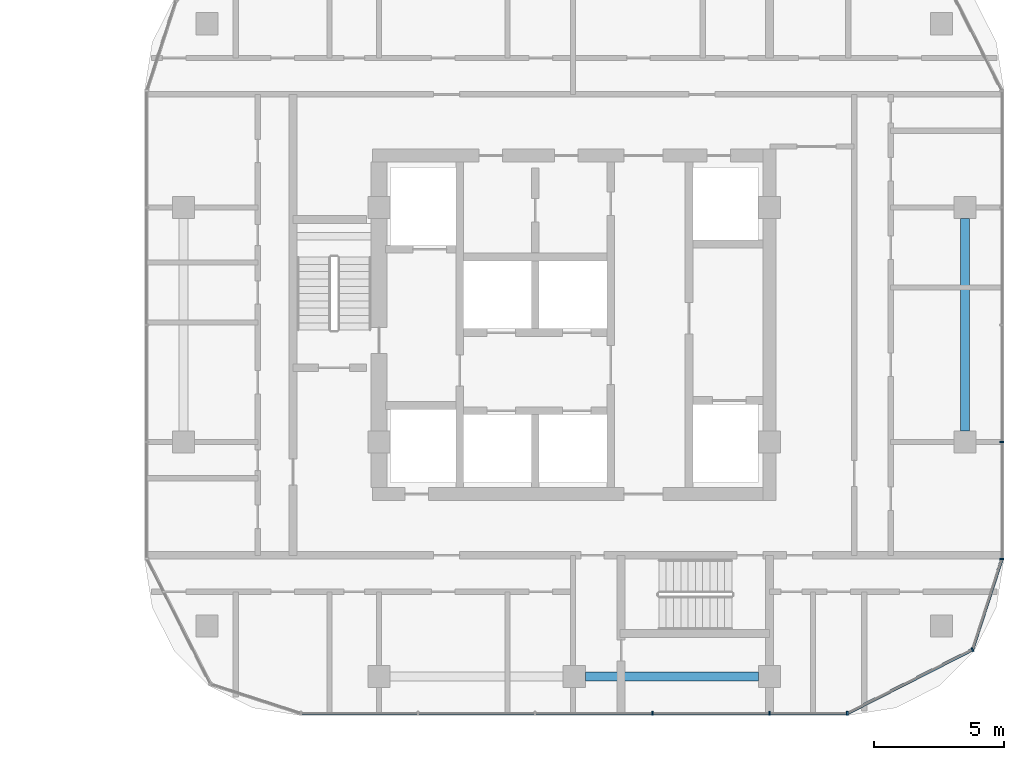
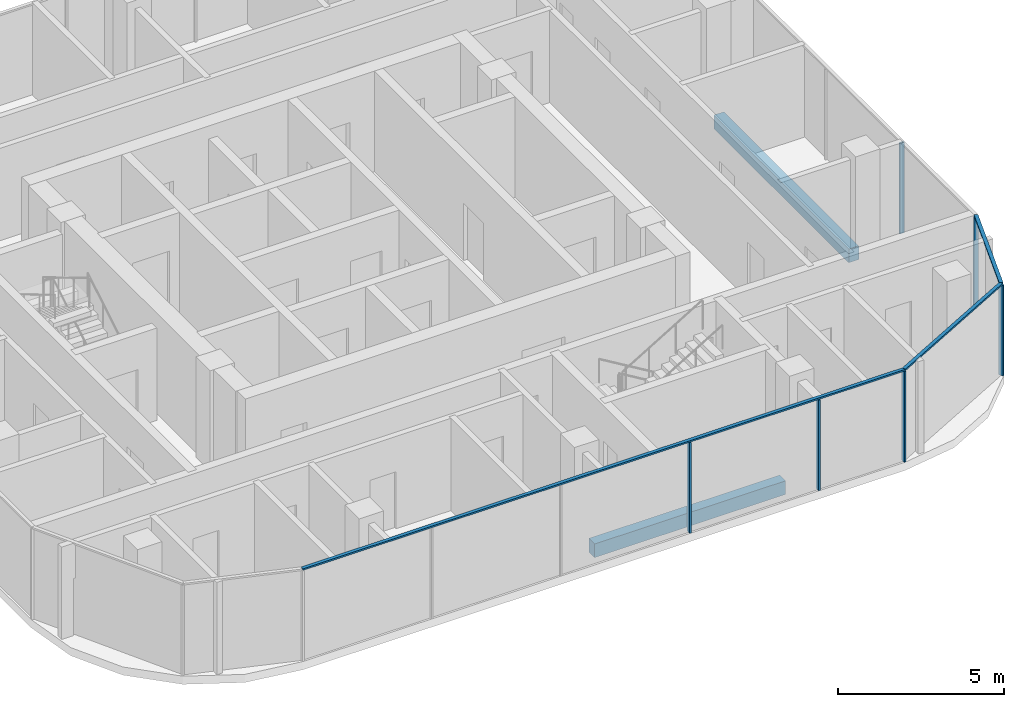
# One storey, part 9 of 31: 9 members, 2 beams, 3 elements without a shape of their own.
"""IFC4 building model written with IfcOpenShell, lengths in metres."""

from ifc_helpers import new_model, si_unit, direction, frame, origin, origin_2d, place, context, subcontext, project, spatial, rectangle, extrude, material, material_profile, profile_set, type_object, element, aggregate, save


model = new_model("IFC4")

# Units and contexts
model_context = context("Model", 3, precision=1e-05, world=origin(), true_north=direction((0.0, 1.0)))
body_context = subcontext(model_context, "Body", "Model", "MODEL_VIEW")
ifc_project = project(units=[si_unit("LENGTHUNIT", "METRE"), si_unit("AREAUNIT", "SQUARE_METRE"), si_unit("VOLUMEUNIT", "CUBIC_METRE"), si_unit("PLANEANGLEUNIT", "RADIAN"), si_unit("MASSUNIT", "GRAM", prefix="KILO")], contexts=[model_context])

# Site, building, storey
site_placement = place(None, origin())
site = spatial("IfcSite", under=ifc_project, at=site_placement, CompositionType="ELEMENT")
building_placement = place(site_placement, origin())
building = spatial("IfcBuilding", under=site, at=building_placement, Name="Ogive Portal Towers", CompositionType="ELEMENT")
storey_placement = place(building_placement, frame((0.0, 0.0, 74.199951171875)))
storey = spatial("IfcBuildingStorey", under=building, at=storey_placement, Name="L17", CompositionType="ELEMENT", Elevation=74.199951171875)

# Curtain wall, members
ifc_material_1 = material(Name="Glass, clear low-iron insulated glazing", Category="glass")
curtain_wall_type = type_object("IfcCurtainWallType", Name="CW RESIDENCES RIBBON", PredefinedType="NOTDEFINED", material=ifc_material_1)
curtain_wall_1_placement = place(storey_placement, origin())
curtain_wall_1 = element("IfcCurtainWall", 1, at=curtain_wall_1_placement, inside=storey, type_object=curtain_wall_type, Name="B:L17:f02:cw0", PredefinedType="NOTDEFINED")
ifc_material_2 = material(Name="Aluminium 6063 anodised", Category="aluminium")
ifc_material_profile_1 = material_profile(ifc_material_2, rectangle(XDim=0.159912109375, YDim=0.06005859375, at=origin_2d()), Name="AL 60x160")
ifc_profile_set_1 = profile_set([ifc_material_profile_1], Name="Aluminium 6063 anodised")
member_type_1 = type_object("IfcMemberType", Name="CW MULLION 60x160", PredefinedType="MULLION", material=ifc_profile_set_1)
member_1_placement = place(storey_placement, frame((139.5, 16.080078125, 0.0), z_axis=(0.0, 0.0, 1.0), x_axis=(0.0, 1.0, 0.0)))
member_1 = element("IfcMember", 2, at=member_1_placement, type_object=member_type_1, Name="mullion", PredefinedType="MULLION", context=body_context, shape_type="SweptSolid", body=[
    extrude(rectangle(XDim=0.159912109375, YDim=0.06005859375, at=origin_2d()), origin(), (0.0, 0.0, 1.0), 3.340087890625),
])
member_2_placement = place(storey_placement, frame((144.0, 16.080078125, 0.0), z_axis=(0.0, 0.0, 1.0), x_axis=(0.0, 1.0, 0.0)))
member_2 = element("IfcMember", 3, at=member_2_placement, type_object=member_type_1, Name="mullion", PredefinedType="MULLION", context=body_context, shape_type="SweptSolid", body=[
    extrude(rectangle(XDim=0.159912109375, YDim=0.06005859375, at=origin_2d()), origin(), (0.0, 0.0, 1.0), 3.340087890625),
])
member_3_placement = place(storey_placement, frame((146.980712890625, 16.080078125, 0.0), z_axis=(0.0, 0.0, 1.0), x_axis=(0.0, 1.0, 0.0)))
member_3 = element("IfcMember", 4, at=member_3_placement, type_object=member_type_1, Name="mullion", PredefinedType="MULLION", context=body_context, shape_type="SweptSolid", body=[
    extrude(rectangle(XDim=0.159912109375, YDim=0.06005859375, at=origin_2d()), origin(), (0.0, 0.0, 1.0), 3.340087890625),
])

curtain_wall_2_placement = place(storey_placement, origin())
curtain_wall_2 = element("IfcCurtainWall", 5, at=curtain_wall_2_placement, inside=storey, type_object=curtain_wall_type, Name="B:L17:f05:cw0", PredefinedType="NOTDEFINED")
member_4_placement = place(storey_placement, frame((152.919921875, 22.0126953125, 0.0), z_axis=(0.0, 0.0, 1.0), x_axis=(-1.0, 0.0, 0.0)))
member_4 = element("IfcMember", 6, at=member_4_placement, type_object=member_type_1, Name="mullion", PredefinedType="MULLION", context=body_context, shape_type="SweptSolid", body=[
    extrude(rectangle(XDim=0.159912109375, YDim=0.06005859375, at=origin_2d()), origin(), (0.0, 0.0, 1.0), 3.340087890625),
])
member_5_placement = place(storey_placement, frame((152.919921875, 26.5, 0.0), z_axis=(0.0, 0.0, 1.0), x_axis=(-1.0, 0.0, 0.0)))
member_5 = element("IfcMember", 7, at=member_5_placement, type_object=member_type_1, Name="mullion", PredefinedType="MULLION", context=body_context, shape_type="SweptSolid", body=[
    extrude(rectangle(XDim=0.159912109375, YDim=0.06005859375, at=origin_2d()), origin(), (0.0, 0.0, 1.0), 3.340087890625),
])
aggregate(curtain_wall_2, [member_4, member_5])

# Curtain wall, member
curtain_wall_3_placement = place(storey_placement, origin())
curtain_wall_3 = element("IfcCurtainWall", 8, at=curtain_wall_3_placement, inside=storey, type_object=curtain_wall_type, Name="B:L17:f03:cwa", PredefinedType="NOTDEFINED")
member_6_placement = place(storey_placement, frame((151.788330078125, 18.529541015625, 0.0), z_axis=(0.0, 0.0, 1.0), x_axis=(-0.45399049974, 0.891006524188, 0.0)))
member_6 = element("IfcMember", 9, at=member_6_placement, type_object=member_type_1, Name="mullion", PredefinedType="MULLION", context=body_context, shape_type="SweptSolid", body=[
    extrude(rectangle(XDim=0.159912109375, YDim=0.06005859375, at=origin_2d()), origin(), (0.0, 0.0, 1.0), 3.340087890625),
])

# Member
ifc_material_profile_2 = material_profile(ifc_material_2, rectangle(XDim=0.1201171875, YDim=0.06005859375, at=origin_2d()), Name="AL 120x60")
ifc_profile_set_2 = profile_set([ifc_material_profile_2], Name="Aluminium 6063 anodised")
member_type_2 = type_object("IfcMemberType", Name="CW TRANSOM 60x120", PredefinedType="USERDEFINED", material=ifc_profile_set_2)
member_7_placement = place(storey_placement, frame((126.0126953125, 16.080078125, 3.3701171875), z_axis=(1.0, 0.0, 0.0), x_axis=(0.0, 1.0, 0.0)))
member_7 = element("IfcMember", 10, at=member_7_placement, type_object=member_type_2, Name="transom", ObjectType="TRANSOM", PredefinedType="USERDEFINED", context=body_context, shape_type="SweptSolid", body=[
    extrude(rectangle(XDim=0.1201171875, YDim=0.06005859375, at=origin_2d()), origin(), (0.0, 0.0, 1.0), 20.968017578125),
])

aggregate(curtain_wall_1, [member_7, member_1, member_2, member_3])

member_8_placement = place(storey_placement, frame((146.980712890625, 16.080078125, 3.3701171875), z_axis=(0.891017050983, 0.453969839149, 0.0), x_axis=(-0.453969839149, 0.891017050983, 0.0)))
member_8 = element("IfcMember", 11, at=member_8_placement, type_object=member_type_2, Name="transom", ObjectType="TRANSOM", PredefinedType="USERDEFINED", context=body_context, shape_type="SweptSolid", body=[
    extrude(rectangle(XDim=0.1201171875, YDim=0.06005859375, at=origin_2d()), origin(), (0.0, 0.0, 1.0), 5.395751953125),
])

member_9_placement = place(storey_placement, frame((151.788330078125, 18.529541015625, 3.3701171875), z_axis=(0.308979049184, 0.951068844598, 0.0), x_axis=(-0.951068844598, 0.308979049184, 0.0)))
member_9 = element("IfcMember", 12, at=member_9_placement, type_object=member_type_2, Name="transom", ObjectType="TRANSOM", PredefinedType="USERDEFINED", context=body_context, shape_type="SweptSolid", body=[
    extrude(rectangle(XDim=0.1201171875, YDim=0.06005859375, at=origin_2d()), origin(), (0.0, 0.0, 1.0), 3.662353515625),
])

aggregate(curtain_wall_3, [member_8, member_9, member_6])

# Beams
ifc_material_3 = material(Name="Concrete C50/60", Category="concrete")
ifc_material_profile_3 = material_profile(ifc_material_3, rectangle(XDim=0.35009765625, YDim=0.5, at=origin_2d()), Name="RC 350x500")
ifc_profile_set_3 = profile_set([ifc_material_profile_3], Name="Concrete C50/60")
beam_type = type_object("IfcBeamType", Name="SPANDREL BEAM RC 350x500", PredefinedType="BEAM", material=ifc_profile_set_3)
beam_1_placement = place(storey_placement, frame((136.925048828125, 17.5, -0.550048828125), z_axis=(1.0, 0.0, 0.0), x_axis=(0.0, 1.0, 0.0)))
element("IfcBeam", 13, at=beam_1_placement, inside=storey, type_object=beam_type, Name="Spandrel beam L17", PredefinedType="BEAM", context=body_context, shape_type="SweptSolid", body=[
    extrude(rectangle(XDim=0.35009765625, YDim=0.5, at=origin_2d()), origin(), (0.0, 0.0, 1.0), 6.64990234375),
])
beam_2_placement = place(storey_placement, frame((151.5, 26.925048828125, -0.550048828125), z_axis=(0.0, 1.0, 0.0), x_axis=(-1.0, 0.0, 0.0)))
element("IfcBeam", 14, at=beam_2_placement, inside=storey, type_object=beam_type, Name="Spandrel beam L17", PredefinedType="BEAM", context=body_context, shape_type="SweptSolid", body=[
    extrude(rectangle(XDim=0.35009765625, YDim=0.5, at=origin_2d()), origin(), (0.0, 0.0, 1.0), 8.14990234375),
])

save(model, "model.ifc")
